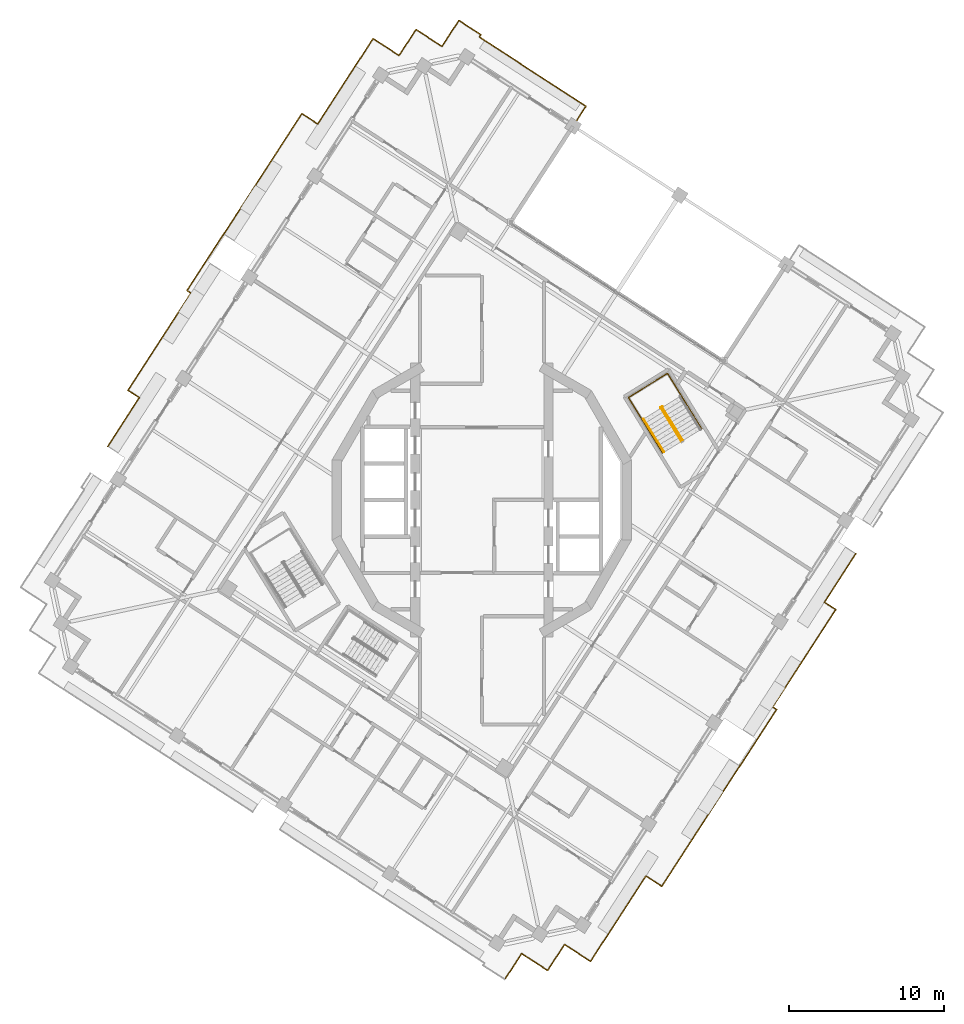
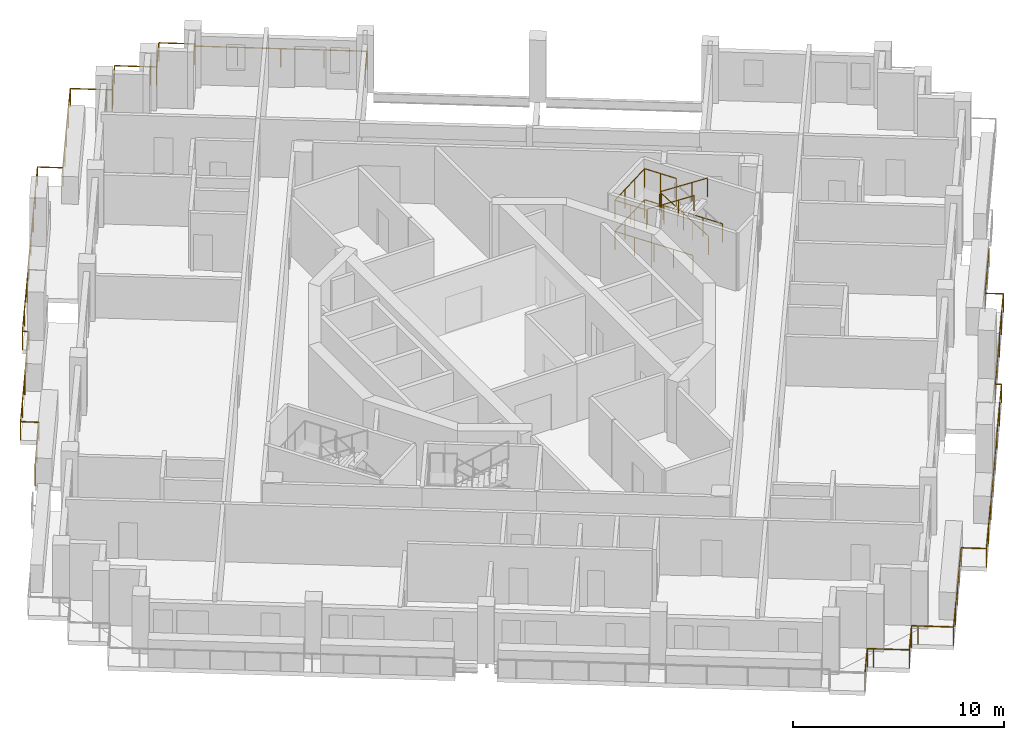
# One storey, part 15 of 17: 8 railings.
"""IFC4 building model written with IfcOpenShell, lengths in metres."""

from ifc_helpers import new_model, si_unit, direction, frame, origin, origin_2d, place, context, subcontext, project, spatial, circle, extrude, material, type_object, element, save


model = new_model("IFC4")

# Units and contexts
model_context = context("Model", 3, precision=1e-05, world=origin(), true_north=direction((0.0, 1.0)))
body_context = subcontext(model_context, "Body", "Model", "MODEL_VIEW")
ifc_project = project(units=[si_unit("LENGTHUNIT", "METRE"), si_unit("AREAUNIT", "SQUARE_METRE"), si_unit("VOLUMEUNIT", "CUBIC_METRE"), si_unit("PLANEANGLEUNIT", "RADIAN"), si_unit("MASSUNIT", "GRAM", prefix="KILO")], contexts=[model_context])

# Site, building, storey
site_placement = place(None, origin())
site = spatial("IfcSite", under=ifc_project, at=site_placement, CompositionType="ELEMENT")
building_placement = place(site_placement, origin())
building = spatial("IfcBuilding", under=site, at=building_placement, Name="Cantera Rosa Tower", CompositionType="ELEMENT")
storey_placement = place(building_placement, frame((0.0, 0.0, 275.699951171875)))
storey = spatial("IfcBuildingStorey", under=building, at=storey_placement, Name="L62", CompositionType="ELEMENT", Elevation=275.699951171875)

# Railings
ifc_material_1 = material(Name="Stainless steel and laminated glass", Category="steel")
railing_type_1 = type_object("IfcRailingType", Name="GUARD 1100", PredefinedType="BALUSTRADE", material=ifc_material_1)
railing_1_placement = place(storey_placement, frame((-5.58984375, 28.8486328125, 0.0)))
element("IfcRailing", 1, at=railing_1_placement, inside=storey, type_object=railing_type_1, Name="GUARD L62-3", PredefinedType="BALUSTRADE", context=body_context, shape_type="SweptSolid", body=[
    extrude(circle(Radius=0.030029296875, at=origin_2d()), frame((0.0, 0.0, 1.070068359375), z_axis=(0.838499355694, -0.544902588084, 0.0), x_axis=(0.544902588084, 0.838499355694, 0.0)), (0.0, 0.0, 1.0), 0.30029296875),
    extrude(circle(Radius=0.030029296875, at=origin_2d()), frame((0.251708984375, -0.16357421875, 1.070068359375), z_axis=(0.5443304008, 0.838870916629, 0.0), x_axis=(-0.838870916629, 0.5443304008, 0.0)), (0.0, 0.0, 1.0), 0.300048828125),
    extrude(circle(Radius=0.030029296875, at=origin_2d()), frame((0.4150390625, 0.088134765625, 1.070068359375), z_axis=(0.544685462014, 0.838640416073, 0.0), x_axis=(-0.838640416073, 0.544685462014, 0.0)), (0.0, 0.0, 1.0), 1.7001953125),
    extrude(circle(Radius=0.030029296875, at=origin_2d()), frame((1.341064453125, 1.513916015625, 1.070068359375), z_axis=(0.83859780397, -0.544751065329, 0.0), x_axis=(0.544751065329, 0.83859780397, 0.0)), (0.0, 0.0, 1.0), 1.699951171875),
    extrude(circle(Radius=0.030029296875, at=origin_2d()), frame((2.7666015625, 0.587890625, 1.070068359375), z_axis=(0.838870916629, -0.5443304008, 0.0), x_axis=(0.5443304008, 0.838870916629, 0.0)), (0.0, 0.0, 1.0), 0.300048828125),
    extrude(circle(Radius=0.030029296875, at=origin_2d()), frame((3.018310546875, 0.424560546875, 1.070068359375), z_axis=(0.54468796124, 0.838638792855, 0.0), x_axis=(-0.838638792855, 0.54468796124, 0.0)), (0.0, 0.0, 1.0), 2.0),
    extrude(circle(Radius=0.030029296875, at=origin_2d()), frame((4.107666015625, 2.101806640625, 1.070068359375), z_axis=(0.838663412569, -0.54465005317, 0.0), x_axis=(0.54465005317, 0.838663412569, 0.0)), (0.0, 0.0, 1.0), 1.69970703125),
    extrude(circle(Radius=0.030029296875, at=origin_2d()), frame((5.533203125, 1.176025390625, 1.070068359375), z_axis=(-0.544370967285, -0.838844592268, 0.0), x_axis=(0.838844592268, -0.544370967285, 0.0)), (0.0, 0.0, 1.0), 0.1806640625),
    extrude(circle(Radius=0.030029296875, at=origin_2d()), frame((5.434814453125, 1.0244140625, 1.070068359375), z_axis=(0.838672777751, -0.544635632198, 0.0), x_axis=(0.544635632198, 0.838672777751, 0.0)), (0.0, 0.0, 1.0), 8.2001953125),
    extrude(circle(Radius=0.030029296875, at=origin_2d()), frame((12.31201171875, -3.441650390625, 1.070068359375), z_axis=(-0.544702131331, -0.838629589344, 0.0), x_axis=(0.838629589344, -0.544702131331, 0.0)), (0.0, 0.0, 1.0), 1.499267578125),
    extrude(circle(Radius=0.02490234375, at=origin_2d()), origin(), (0.0, 0.0, 1.0), 1.0400390625),
    extrude(circle(Radius=0.02490234375, at=origin_2d()), frame((0.251708984375, -0.16357421875, 0.0)), (0.0, 0.0, 1.0), 1.0400390625),
    extrude(circle(Radius=0.02490234375, at=origin_2d()), frame((0.4150390625, 0.088134765625, 0.0)), (0.0, 0.0, 1.0), 1.0400390625),
    extrude(circle(Radius=0.02490234375, at=origin_2d()), frame((1.341064453125, 1.513916015625, 0.0)), (0.0, 0.0, 1.0), 1.0400390625),
    extrude(circle(Radius=0.02490234375, at=origin_2d()), frame((2.7666015625, 0.587890625, 0.0)), (0.0, 0.0, 1.0), 1.0400390625),
    extrude(circle(Radius=0.02490234375, at=origin_2d()), frame((3.018310546875, 0.424560546875, 0.0)), (0.0, 0.0, 1.0), 1.0400390625),
    extrude(circle(Radius=0.02490234375, at=origin_2d()), frame((4.107666015625, 2.101806640625, 0.0)), (0.0, 0.0, 1.0), 1.0400390625),
    extrude(circle(Radius=0.02490234375, at=origin_2d()), frame((5.533203125, 1.176025390625, 0.0)), (0.0, 0.0, 1.0), 1.0400390625),
    extrude(circle(Radius=0.02490234375, at=origin_2d()), frame((5.434814453125, 1.0244140625, 0.0)), (0.0, 0.0, 1.0), 1.0400390625),
    extrude(circle(Radius=0.02490234375, at=origin_2d()), frame((7.154052734375, -0.092041015625, 0.0)), (0.0, 0.0, 1.0), 1.0400390625),
    extrude(circle(Radius=0.02490234375, at=origin_2d()), frame((8.87353515625, -1.20849609375, 0.0)), (0.0, 0.0, 1.0), 1.0400390625),
    extrude(circle(Radius=0.02490234375, at=origin_2d()), frame((10.5927734375, -2.3251953125, 0.0)), (0.0, 0.0, 1.0), 1.0400390625),
    extrude(circle(Radius=0.02490234375, at=origin_2d()), frame((12.31201171875, -3.441650390625, 0.0)), (0.0, 0.0, 1.0), 1.0400390625),
    extrude(circle(Radius=0.02490234375, at=origin_2d()), frame((11.495361328125, -4.698974609375, 0.0)), (0.0, 0.0, 1.0), 1.0400390625),
])
railing_2_placement = place(storey_placement, frame((-24.13916015625, 3.46630859375, 0.0)))
element("IfcRailing", 2, at=railing_2_placement, inside=storey, type_object=railing_type_1, Name="GUARD L62-4", PredefinedType="BALUSTRADE", context=body_context, shape_type="SweptSolid", body=[
    extrude(circle(Radius=0.030029296875, at=origin_2d()), frame((0.0, 0.0, 1.070068359375), z_axis=(0.544602458439, 0.838694319918, 0.0), x_axis=(-0.838694319918, 0.544602458439, 0.0)), (0.0, 0.0, 1.0), 3.736572265625),
    extrude(circle(Radius=0.030029296875, at=origin_2d()), frame((2.034912109375, 3.1337890625, 1.070068359375), z_axis=(-0.838601924896, 0.544744721462, 0.0), x_axis=(-0.544744721462, -0.838601924896, 0.0)), (0.0, 0.0, 1.0), 0.880615234375),
    extrude(circle(Radius=0.030029296875, at=origin_2d()), frame((1.29638671875, 3.613525390625, 1.070068359375), z_axis=(0.544661219355, 0.83865616085, 0.0), x_axis=(-0.83865616085, 0.544661219355, 0.0)), (0.0, 0.0, 1.0), 7.47705078125),
    extrude(circle(Radius=0.030029296875, at=origin_2d()), frame((5.368896484375, 9.88427734375, 1.070068359375), z_axis=(-0.838682823778, 0.544620162223, 0.0), x_axis=(-0.544620162223, -0.838682823778, 0.0)), (0.0, 0.0, 1.0), 0.302978515625),
    extrude(circle(Radius=0.030029296875, at=origin_2d()), frame((5.11474609375, 10.04931640625, 1.070068359375), z_axis=(0.544652300015, 0.838661953405, 0.0), x_axis=(-0.838661953405, 0.544652300015, 0.0)), (0.0, 0.0, 1.0), 13.612548828125),
    extrude(circle(Radius=0.030029296875, at=origin_2d()), frame((12.52880859375, 21.465576171875, 1.070068359375), z_axis=(0.838691191223, -0.544607276636, 0.0), x_axis=(0.544607276636, 0.838691191223, 0.0)), (0.0, 0.0, 1.0), 1.21630859375),
    extrude(circle(Radius=0.030029296875, at=origin_2d()), frame((13.548828125, 20.80322265625, 1.070068359375), z_axis=(0.54462837007, 0.838677493745, 0.0), x_axis=(-0.838677493745, 0.54462837007, 0.0)), (0.0, 0.0, 1.0), 4.86376953125),
    extrude(circle(Radius=0.030029296875, at=origin_2d()), frame((16.19775390625, 24.88232421875, 1.070068359375), z_axis=(0.544584451758, 0.838706012202, 0.0), x_axis=(-0.838706012202, 0.544584451758, 0.0)), (0.0, 0.0, 1.0), 1.699951171875),
    extrude(circle(Radius=0.030029296875, at=origin_2d()), frame((17.12353515625, 26.30810546875, 1.070068359375), z_axis=(0.838706012202, -0.544584451758, 0.0), x_axis=(0.544584451758, 0.838706012202, 0.0)), (0.0, 0.0, 1.0), 1.699951171875),
    extrude(circle(Radius=0.02490234375, at=origin_2d()), origin(), (0.0, 0.0, 1.0), 1.0400390625),
    extrude(circle(Radius=0.02490234375, at=origin_2d()), frame((1.017578125, 1.56689453125, 0.0)), (0.0, 0.0, 1.0), 1.0400390625),
    extrude(circle(Radius=0.02490234375, at=origin_2d()), frame((2.034912109375, 3.1337890625, 0.0)), (0.0, 0.0, 1.0), 1.0400390625),
    extrude(circle(Radius=0.02490234375, at=origin_2d()), frame((1.29638671875, 3.613525390625, 0.0)), (0.0, 0.0, 1.0), 1.0400390625),
    extrude(circle(Radius=0.02490234375, at=origin_2d()), frame((2.314453125, 5.18115234375, 0.0)), (0.0, 0.0, 1.0), 1.0400390625),
    extrude(circle(Radius=0.02490234375, at=origin_2d()), frame((3.33251953125, 6.7490234375, 0.0)), (0.0, 0.0, 1.0), 1.0400390625),
    extrude(circle(Radius=0.02490234375, at=origin_2d()), frame((4.350830078125, 8.316650390625, 0.0)), (0.0, 0.0, 1.0), 1.0400390625),
    extrude(circle(Radius=0.02490234375, at=origin_2d()), frame((5.368896484375, 9.88427734375, 0.0)), (0.0, 0.0, 1.0), 1.0400390625),
    extrude(circle(Radius=0.02490234375, at=origin_2d()), frame((5.11474609375, 10.04931640625, 0.0)), (0.0, 0.0, 1.0), 1.0400390625),
    extrude(circle(Radius=0.02490234375, at=origin_2d()), frame((6.173828125, 11.68017578125, 0.0)), (0.0, 0.0, 1.0), 1.0400390625),
    extrude(circle(Radius=0.02490234375, at=origin_2d()), frame((7.233154296875, 13.31103515625, 0.0)), (0.0, 0.0, 1.0), 1.0400390625),
    extrude(circle(Radius=0.02490234375, at=origin_2d()), frame((8.292236328125, 14.94189453125, 0.0)), (0.0, 0.0, 1.0), 1.0400390625),
    extrude(circle(Radius=0.02490234375, at=origin_2d()), frame((9.351318359375, 16.572998046875, 0.0)), (0.0, 0.0, 1.0), 1.0400390625),
    extrude(circle(Radius=0.02490234375, at=origin_2d()), frame((10.410400390625, 18.203857421875, 0.0)), (0.0, 0.0, 1.0), 1.0400390625),
    extrude(circle(Radius=0.02490234375, at=origin_2d()), frame((11.4697265625, 19.834716796875, 0.0)), (0.0, 0.0, 1.0), 1.0400390625),
    extrude(circle(Radius=0.02490234375, at=origin_2d()), frame((12.52880859375, 21.465576171875, 0.0)), (0.0, 0.0, 1.0), 1.0400390625),
    extrude(circle(Radius=0.02490234375, at=origin_2d()), frame((13.548828125, 20.80322265625, 0.0)), (0.0, 0.0, 1.0), 1.0400390625),
    extrude(circle(Radius=0.02490234375, at=origin_2d()), frame((14.431884765625, 22.162841796875, 0.0)), (0.0, 0.0, 1.0), 1.0400390625),
    extrude(circle(Radius=0.02490234375, at=origin_2d()), frame((15.314697265625, 23.522705078125, 0.0)), (0.0, 0.0, 1.0), 1.0400390625),
    extrude(circle(Radius=0.02490234375, at=origin_2d()), frame((16.19775390625, 24.88232421875, 0.0)), (0.0, 0.0, 1.0), 1.0400390625),
    extrude(circle(Radius=0.02490234375, at=origin_2d()), frame((17.12353515625, 26.30810546875, 0.0)), (0.0, 0.0, 1.0), 1.0400390625),
    extrude(circle(Radius=0.02490234375, at=origin_2d()), frame((18.54931640625, 25.38232421875, 0.0)), (0.0, 0.0, 1.0), 1.0400390625),
])
railing_3_placement = place(storey_placement, frame((24.13916015625, -3.46630859375, 0.0)))
element("IfcRailing", 3, at=railing_3_placement, inside=storey, type_object=railing_type_1, Name="GUARD L62-6", PredefinedType="BALUSTRADE", context=body_context, shape_type="SweptSolid", body=[
    extrude(circle(Radius=0.030029296875, at=origin_2d()), frame((0.0, 0.0, 1.070068359375), z_axis=(-0.544602458439, -0.838694319918, 0.0), x_axis=(0.838694319918, -0.544602458439, 0.0)), (0.0, 0.0, 1.0), 3.736572265625),
    extrude(circle(Radius=0.030029296875, at=origin_2d()), frame((-2.034912109375, -3.1337890625, 1.070068359375), z_axis=(0.838601924896, -0.544744721462, 0.0), x_axis=(0.544744721462, 0.838601924896, 0.0)), (0.0, 0.0, 1.0), 0.880615234375),
    extrude(circle(Radius=0.030029296875, at=origin_2d()), frame((-1.29638671875, -3.613525390625, 1.070068359375), z_axis=(-0.544661219355, -0.83865616085, 0.0), x_axis=(0.83865616085, -0.544661219355, 0.0)), (0.0, 0.0, 1.0), 7.47705078125),
    extrude(circle(Radius=0.030029296875, at=origin_2d()), frame((-5.368896484375, -9.88427734375, 1.070068359375), z_axis=(0.838682823778, -0.544620162223, 0.0), x_axis=(0.544620162223, 0.838682823778, 0.0)), (0.0, 0.0, 1.0), 0.302978515625),
    extrude(circle(Radius=0.030029296875, at=origin_2d()), frame((-5.11474609375, -10.04931640625, 1.070068359375), z_axis=(-0.544652300015, -0.838661953405, 0.0), x_axis=(0.838661953405, -0.544652300015, 0.0)), (0.0, 0.0, 1.0), 13.612548828125),
    extrude(circle(Radius=0.030029296875, at=origin_2d()), frame((-12.52880859375, -21.465576171875, 1.070068359375), z_axis=(-0.838691191223, 0.544607276636, 0.0), x_axis=(-0.544607276636, -0.838691191223, 0.0)), (0.0, 0.0, 1.0), 1.21630859375),
    extrude(circle(Radius=0.030029296875, at=origin_2d()), frame((-13.548828125, -20.80322265625, 1.070068359375), z_axis=(-0.54462837007, -0.838677493745, 0.0), x_axis=(0.838677493745, -0.54462837007, 0.0)), (0.0, 0.0, 1.0), 4.86376953125),
    extrude(circle(Radius=0.030029296875, at=origin_2d()), frame((-16.19775390625, -24.88232421875, 1.070068359375), z_axis=(-0.544584451758, -0.838706012202, 0.0), x_axis=(0.838706012202, -0.544584451758, 0.0)), (0.0, 0.0, 1.0), 1.699951171875),
    extrude(circle(Radius=0.030029296875, at=origin_2d()), frame((-17.12353515625, -26.30810546875, 1.070068359375), z_axis=(-0.838706012202, 0.544584451758, 0.0), x_axis=(-0.544584451758, -0.838706012202, 0.0)), (0.0, 0.0, 1.0), 1.699951171875),
    extrude(circle(Radius=0.030029296875, at=origin_2d()), frame((-18.54931640625, -25.38232421875, 1.070068359375), z_axis=(-0.838499355694, 0.544902588084, 0.0), x_axis=(-0.544902588084, -0.838499355694, 0.0)), (0.0, 0.0, 1.0), 0.30029296875),
    extrude(circle(Radius=0.030029296875, at=origin_2d()), frame((-18.801025390625, -25.21875, 1.070068359375), z_axis=(-0.5443304008, -0.838870916629, 0.0), x_axis=(0.838870916629, -0.5443304008, 0.0)), (0.0, 0.0, 1.0), 0.300048828125),
    extrude(circle(Radius=0.030029296875, at=origin_2d()), frame((-18.96435546875, -25.470458984375, 1.070068359375), z_axis=(-0.544685462014, -0.838640416073, 0.0), x_axis=(0.838640416073, -0.544685462014, 0.0)), (0.0, 0.0, 1.0), 1.7001953125),
    extrude(circle(Radius=0.030029296875, at=origin_2d()), frame((-19.890380859375, -26.896240234375, 1.070068359375), z_axis=(-0.83859780397, 0.544751065329, 0.0), x_axis=(-0.544751065329, -0.83859780397, 0.0)), (0.0, 0.0, 1.0), 1.699951171875),
    extrude(circle(Radius=0.030029296875, at=origin_2d()), frame((-21.31591796875, -25.97021484375, 1.070068359375), z_axis=(-0.838870916629, 0.5443304008, 0.0), x_axis=(-0.5443304008, -0.838870916629, 0.0)), (0.0, 0.0, 1.0), 0.300048828125),
    extrude(circle(Radius=0.030029296875, at=origin_2d()), frame((-21.567626953125, -25.806884765625, 1.070068359375), z_axis=(-0.54468796124, -0.838638792855, 0.0), x_axis=(0.838638792855, -0.54468796124, 0.0)), (0.0, 0.0, 1.0), 2.0),
    extrude(circle(Radius=0.02490234375, at=origin_2d()), origin(), (0.0, 0.0, 1.0), 1.0400390625),
    extrude(circle(Radius=0.02490234375, at=origin_2d()), frame((-1.017578125, -1.56689453125, 0.0)), (0.0, 0.0, 1.0), 1.0400390625),
    extrude(circle(Radius=0.02490234375, at=origin_2d()), frame((-2.034912109375, -3.1337890625, 0.0)), (0.0, 0.0, 1.0), 1.0400390625),
    extrude(circle(Radius=0.02490234375, at=origin_2d()), frame((-1.29638671875, -3.613525390625, 0.0)), (0.0, 0.0, 1.0), 1.0400390625),
    extrude(circle(Radius=0.02490234375, at=origin_2d()), frame((-2.314453125, -5.18115234375, 0.0)), (0.0, 0.0, 1.0), 1.0400390625),
    extrude(circle(Radius=0.02490234375, at=origin_2d()), frame((-3.33251953125, -6.7490234375, 0.0)), (0.0, 0.0, 1.0), 1.0400390625),
    extrude(circle(Radius=0.02490234375, at=origin_2d()), frame((-4.350830078125, -8.316650390625, 0.0)), (0.0, 0.0, 1.0), 1.0400390625),
    extrude(circle(Radius=0.02490234375, at=origin_2d()), frame((-5.368896484375, -9.88427734375, 0.0)), (0.0, 0.0, 1.0), 1.0400390625),
    extrude(circle(Radius=0.02490234375, at=origin_2d()), frame((-5.11474609375, -10.04931640625, 0.0)), (0.0, 0.0, 1.0), 1.0400390625),
    extrude(circle(Radius=0.02490234375, at=origin_2d()), frame((-6.173828125, -11.68017578125, 0.0)), (0.0, 0.0, 1.0), 1.0400390625),
    extrude(circle(Radius=0.02490234375, at=origin_2d()), frame((-7.233154296875, -13.31103515625, 0.0)), (0.0, 0.0, 1.0), 1.0400390625),
    extrude(circle(Radius=0.02490234375, at=origin_2d()), frame((-8.292236328125, -14.94189453125, 0.0)), (0.0, 0.0, 1.0), 1.0400390625),
    extrude(circle(Radius=0.02490234375, at=origin_2d()), frame((-9.351318359375, -16.572998046875, 0.0)), (0.0, 0.0, 1.0), 1.0400390625),
    extrude(circle(Radius=0.02490234375, at=origin_2d()), frame((-10.410400390625, -18.203857421875, 0.0)), (0.0, 0.0, 1.0), 1.0400390625),
    extrude(circle(Radius=0.02490234375, at=origin_2d()), frame((-11.4697265625, -19.834716796875, 0.0)), (0.0, 0.0, 1.0), 1.0400390625),
    extrude(circle(Radius=0.02490234375, at=origin_2d()), frame((-12.52880859375, -21.465576171875, 0.0)), (0.0, 0.0, 1.0), 1.0400390625),
    extrude(circle(Radius=0.02490234375, at=origin_2d()), frame((-13.548828125, -20.80322265625, 0.0)), (0.0, 0.0, 1.0), 1.0400390625),
    extrude(circle(Radius=0.02490234375, at=origin_2d()), frame((-14.431884765625, -22.162841796875, 0.0)), (0.0, 0.0, 1.0), 1.0400390625),
    extrude(circle(Radius=0.02490234375, at=origin_2d()), frame((-15.314697265625, -23.522705078125, 0.0)), (0.0, 0.0, 1.0), 1.0400390625),
    extrude(circle(Radius=0.02490234375, at=origin_2d()), frame((-16.19775390625, -24.88232421875, 0.0)), (0.0, 0.0, 1.0), 1.0400390625),
    extrude(circle(Radius=0.02490234375, at=origin_2d()), frame((-17.12353515625, -26.30810546875, 0.0)), (0.0, 0.0, 1.0), 1.0400390625),
    extrude(circle(Radius=0.02490234375, at=origin_2d()), frame((-18.54931640625, -25.38232421875, 0.0)), (0.0, 0.0, 1.0), 1.0400390625),
    extrude(circle(Radius=0.02490234375, at=origin_2d()), frame((-18.801025390625, -25.21875, 0.0)), (0.0, 0.0, 1.0), 1.0400390625),
    extrude(circle(Radius=0.02490234375, at=origin_2d()), frame((-18.96435546875, -25.470458984375, 0.0)), (0.0, 0.0, 1.0), 1.0400390625),
    extrude(circle(Radius=0.02490234375, at=origin_2d()), frame((-19.890380859375, -26.896240234375, 0.0)), (0.0, 0.0, 1.0), 1.0400390625),
    extrude(circle(Radius=0.02490234375, at=origin_2d()), frame((-21.31591796875, -25.97021484375, 0.0)), (0.0, 0.0, 1.0), 1.0400390625),
    extrude(circle(Radius=0.02490234375, at=origin_2d()), frame((-21.567626953125, -25.806884765625, 0.0)), (0.0, 0.0, 1.0), 1.0400390625),
    extrude(circle(Radius=0.02490234375, at=origin_2d()), frame((-22.656982421875, -27.484130859375, 0.0)), (0.0, 0.0, 1.0), 1.0400390625),
])
ifc_material_2 = material(Name="Steel S355J2 (EN 10025-2)", Category="steel")
railing_type_2 = type_object("IfcRailingType", Name="STAIR GUARD 1100", PredefinedType="GUARDRAIL", material=ifc_material_2)
railing_4_placement = place(storey_placement, frame((12.9765625, 3.834228515625, 0.179931640625)))
element("IfcRailing", 4, at=railing_4_placement, inside=storey, type_object=railing_type_2, Name="L62 ST-51 stair guard 1", PredefinedType="GUARDRAIL", context=body_context, shape_type="SweptSolid", body=[
    extrude(circle(Radius=0.02392578125, at=origin_2d()), frame((0.0, 0.0, 1.076171875), z_axis=(-0.44154346381, 0.715939337315, 0.540805172729), x_axis=(-0.851145618652, -0.524929648476, 0.0)), (0.0, 0.0, 1.0), 2.995849609375),
    extrude(circle(Radius=0.02392578125, at=origin_2d()), frame((-1.32275390625, 2.144775390625, 2.6962890625), z_axis=(-0.073711968402, 0.997279572494, 0.0), x_axis=(-0.997279572494, -0.073711968402, 0.0)), (0.0, 0.0, 1.0), 0.056396484375),
    extrude(circle(Radius=0.02392578125, at=origin_2d()), frame((-1.326904296875, 2.200927734375, 2.6962890625), z_axis=(-0.851546489876, -0.524279100842, 0.0), x_axis=(0.524279100842, -0.851546489876, 0.0)), (0.0, 0.0, 1.0), 0.14990234375),
    extrude(circle(Radius=0.02099609375, at=origin_2d()), origin(), (0.0, 0.0, 1.0), 1.052001953125),
    extrude(circle(Radius=0.02099609375, at=origin_2d()), frame((-0.44091796875, 0.71484375, 0.5400390625)), (0.0, 0.0, 1.0), 1.052001953125),
    extrude(circle(Radius=0.02099609375, at=origin_2d()), frame((-0.8818359375, 1.429931640625, 1.080078125)), (0.0, 0.0, 1.0), 1.052001953125),
    extrude(circle(Radius=0.02099609375, at=origin_2d()), frame((-1.32275390625, 2.144775390625, 1.6201171875)), (0.0, 0.0, 1.0), 1.052001953125),
    extrude(circle(Radius=0.02099609375, at=origin_2d()), frame((-1.326904296875, 2.200927734375, 1.6201171875)), (0.0, 0.0, 1.0), 1.052001953125),
    extrude(circle(Radius=0.02099609375, at=origin_2d()), frame((-1.45458984375, 2.122314453125, 1.6201171875)), (0.0, 0.0, 1.0), 1.052001953125),
])
railing_5_placement = place(storey_placement, frame((11.5703125, 5.927490234375, 1.97998046875)))
element("IfcRailing", 5, at=railing_5_placement, inside=storey, type_object=railing_type_2, Name="L62 ST-51 stair guard 2", PredefinedType="GUARDRAIL", context=body_context, shape_type="SweptSolid", body=[
    extrude(circle(Radius=0.02392578125, at=origin_2d()), frame((0.0, 0.0, 1.076171875), z_axis=(0.441609067481, -0.715913574058, 0.540785711718), x_axis=(0.851102330005, 0.524999832248, 0.0)), (0.0, 0.0, 1.0), 2.995849609375),
    extrude(circle(Radius=0.02099609375, at=origin_2d()), origin(), (0.0, 0.0, 1.0), 1.052001953125),
    extrude(circle(Radius=0.02099609375, at=origin_2d()), frame((0.44091796875, -0.71484375, 0.5400390625)), (0.0, 0.0, 1.0), 1.052001953125),
    extrude(circle(Radius=0.02099609375, at=origin_2d()), frame((0.882080078125, -1.429931640625, 1.080078125)), (0.0, 0.0, 1.0), 1.052001953125),
    extrude(circle(Radius=0.02099609375, at=origin_2d()), frame((1.322998046875, -2.144775390625, 1.6201171875)), (0.0, 0.0, 1.0), 1.052001953125),
])
railing_6_placement = place(storey_placement, frame((14.192626953125, 4.59814453125, 0.0)))
element("IfcRailing", 6, at=railing_6_placement, inside=storey, type_object=railing_type_2, Name="L62 ST-51 stair guard 4", PredefinedType="GUARDRAIL", context=body_context, shape_type="SweptSolid", body=[
    extrude(circle(Radius=0.02392578125, at=origin_2d()), frame((0.0, 0.0, 1.076171875), z_axis=(-0.524976478809, 0.851116735059, 0.0), x_axis=(-0.851116735059, -0.524976478809, 0.0)), (0.0, 0.0, 1.0), 4.197998046875),
    extrude(circle(Radius=0.02392578125, at=origin_2d()), frame((-2.203857421875, 3.572998046875, 1.076171875), z_axis=(-0.851132917336, -0.524950242429, 0.0), x_axis=(0.524950242429, -0.851132917336, 0.0)), (0.0, 0.0, 1.0), 2.969970703125),
    extrude(circle(Radius=0.02392578125, at=origin_2d()), frame((-4.731689453125, 2.013916015625, 1.076171875), z_axis=(0.524976478809, -0.851116735059, 0.0), x_axis=(0.851116735059, 0.524976478809, 0.0)), (0.0, 0.0, 1.0), 4.197998046875),
    extrude(circle(Radius=0.02099609375, at=origin_2d()), origin(), (0.0, 0.0, 1.0), 1.052001953125),
    extrude(circle(Radius=0.02099609375, at=origin_2d()), frame((-0.551025390625, 0.893310546875, 0.0)), (0.0, 0.0, 1.0), 1.052001953125),
    extrude(circle(Radius=0.02099609375, at=origin_2d()), frame((-1.10205078125, 1.78662109375, 0.0)), (0.0, 0.0, 1.0), 1.052001953125),
    extrude(circle(Radius=0.02099609375, at=origin_2d()), frame((-1.65283203125, 2.6796875, 0.0)), (0.0, 0.0, 1.0), 1.052001953125),
    extrude(circle(Radius=0.02099609375, at=origin_2d()), frame((-2.203857421875, 3.572998046875, 0.0)), (0.0, 0.0, 1.0), 1.052001953125),
    extrude(circle(Radius=0.02099609375, at=origin_2d()), frame((-3.04638671875, 3.05322265625, 0.0)), (0.0, 0.0, 1.0), 1.052001953125),
    extrude(circle(Radius=0.02099609375, at=origin_2d()), frame((-3.88916015625, 2.53369140625, 0.0)), (0.0, 0.0, 1.0), 1.052001953125),
    extrude(circle(Radius=0.02099609375, at=origin_2d()), frame((-4.731689453125, 2.013916015625, 0.0)), (0.0, 0.0, 1.0), 1.052001953125),
    extrude(circle(Radius=0.02099609375, at=origin_2d()), frame((-4.1806640625, 1.12060546875, 0.0)), (0.0, 0.0, 1.0), 1.052001953125),
    extrude(circle(Radius=0.02099609375, at=origin_2d()), frame((-3.6298828125, 0.2275390625, 0.0)), (0.0, 0.0, 1.0), 1.052001953125),
    extrude(circle(Radius=0.02099609375, at=origin_2d()), frame((-3.078857421875, -0.665771484375, 0.0)), (0.0, 0.0, 1.0), 1.052001953125),
    extrude(circle(Radius=0.02099609375, at=origin_2d()), frame((-2.52783203125, -1.55908203125, 0.0)), (0.0, 0.0, 1.0), 1.052001953125),
])
railing_7_placement = place(storey_placement, frame((12.88232421875, 6.72265625, 1.800048828125)))
element("IfcRailing", 7, at=railing_7_placement, inside=storey, type_object=railing_type_2, Name="L62 ST-51 stair guard 5", PredefinedType="GUARDRAIL", context=body_context, shape_type="SweptSolid", body=[
    extrude(circle(Radius=0.02392578125, at=origin_2d()), frame((0.0, 0.0, 1.076171875), z_axis=(-0.525025534833, 0.851086474909, 0.0), x_axis=(-0.851086474909, -0.525025534833, 0.0)), (0.0, 0.0, 1.0), 1.701904296875),
    extrude(circle(Radius=0.02392578125, at=origin_2d()), frame((-0.8935546875, 1.448486328125, 1.076171875), z_axis=(-0.851132917336, -0.524950242429, 0.0), x_axis=(0.524950242429, -0.851132917336, 0.0)), (0.0, 0.0, 1.0), 2.969970703125),
    extrude(circle(Radius=0.02392578125, at=origin_2d()), frame((-3.42138671875, -0.110595703125, 1.076171875), z_axis=(0.524961441845, -0.851126009811, 0.0), x_axis=(0.851126009811, 0.524961441845, 0.0)), (0.0, 0.0, 1.0), 1.7021484375),
    extrude(circle(Radius=0.02099609375, at=origin_2d()), origin(), (0.0, 0.0, 1.0), 1.052001953125),
    extrude(circle(Radius=0.02099609375, at=origin_2d()), frame((-0.44677734375, 0.72412109375, 0.0)), (0.0, 0.0, 1.0), 1.052001953125),
    extrude(circle(Radius=0.02099609375, at=origin_2d()), frame((-0.8935546875, 1.448486328125, 0.0)), (0.0, 0.0, 1.0), 1.052001953125),
    extrude(circle(Radius=0.02099609375, at=origin_2d()), frame((-1.736083984375, 0.9287109375, 0.0)), (0.0, 0.0, 1.0), 1.052001953125),
    extrude(circle(Radius=0.02099609375, at=origin_2d()), frame((-2.578857421875, 0.4091796875, 0.0)), (0.0, 0.0, 1.0), 1.052001953125),
    extrude(circle(Radius=0.02099609375, at=origin_2d()), frame((-3.42138671875, -0.110595703125, 0.0)), (0.0, 0.0, 1.0), 1.052001953125),
    extrude(circle(Radius=0.02099609375, at=origin_2d()), frame((-2.974609375, -0.8349609375, 0.0)), (0.0, 0.0, 1.0), 1.052001953125),
    extrude(circle(Radius=0.02099609375, at=origin_2d()), frame((-2.52783203125, -1.559326171875, 0.0)), (0.0, 0.0, 1.0), 1.052001953125),
])
ifc_material_3 = material(Name="Steel S355J2 (EN 10025-2)", Category="steel")
railing_type_3 = type_object("IfcRailingType", Name="STAIR HANDRAIL 900", PredefinedType="HANDRAIL", material=ifc_material_3)
railing_8_placement = place(storey_placement, frame((10.441650390625, 5.2314453125, 1.97998046875)))
element("IfcRailing", 8, at=railing_8_placement, inside=storey, type_object=railing_type_3, Name="L62 ST-51 stair handrail 2", PredefinedType="HANDRAIL", context=body_context, shape_type="SweptSolid", body=[
    extrude(circle(Radius=0.02392578125, at=origin_2d()), frame((0.0, 0.0, 0.8759765625), z_axis=(0.441609067481, -0.715913574058, 0.540785711718), x_axis=(0.851102330005, 0.524999832248, 0.0)), (0.0, 0.0, 1.0), 2.995849609375),
    extrude(circle(Radius=0.02099609375, at=origin_2d()), origin(), (0.0, 0.0, 1.0), 0.851806640625),
    extrude(circle(Radius=0.02099609375, at=origin_2d()), frame((0.44091796875, -0.71484375, 0.5400390625)), (0.0, 0.0, 1.0), 0.851806640625),
    extrude(circle(Radius=0.02099609375, at=origin_2d()), frame((0.882080078125, -1.429931640625, 1.080078125)), (0.0, 0.0, 1.0), 0.851806640625),
    extrude(circle(Radius=0.02099609375, at=origin_2d()), frame((1.322998046875, -2.144775390625, 1.6201171875)), (0.0, 0.0, 1.0), 0.851806640625),
])

save(model, "model.ifc")
